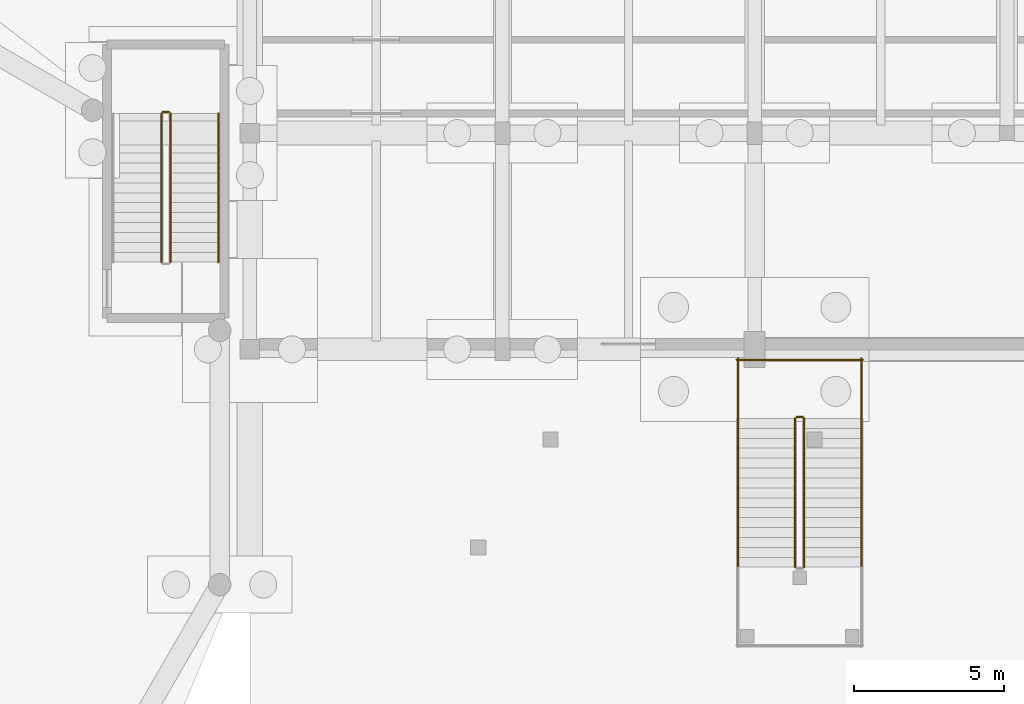
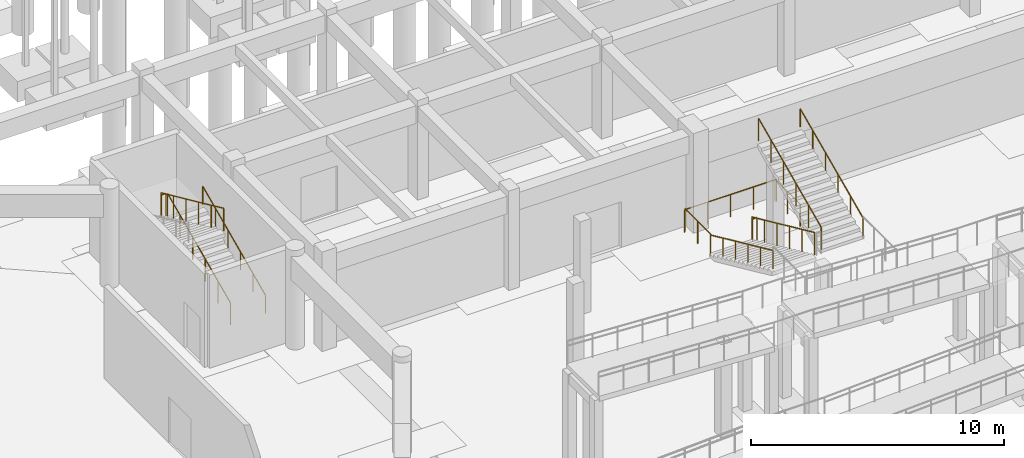
# One storey, part 69 of 80: 12 railings.
"""IFC4 building model written with IfcOpenShell, lengths in metres."""

from ifc_helpers import new_model, si_unit, direction, frame, origin, origin_2d, place, context, subcontext, project, spatial, circle, extrude, material, layer, layer_set, type_object, element, save


model = new_model("IFC4")

# Units and contexts
model_context = context("Model", 3, precision=1e-05, world=origin(), true_north=direction((0.0, 1.0)))
body_context = subcontext(model_context, "Body", "Model", "MODEL_VIEW")
ifc_project = project(units=[si_unit("LENGTHUNIT", "METRE"), si_unit("AREAUNIT", "SQUARE_METRE"), si_unit("VOLUMEUNIT", "CUBIC_METRE"), si_unit("PLANEANGLEUNIT", "RADIAN"), si_unit("MASSUNIT", "GRAM", prefix="KILO")], contexts=[model_context])

# Site, building, storey
site_placement = place(None, origin())
site = spatial("IfcSite", under=ifc_project, at=site_placement, CompositionType="ELEMENT")
building_placement = place(site_placement, origin())
building = spatial("IfcBuilding", under=site, at=building_placement, Name="Malvenik Polytechnic", CompositionType="ELEMENT")
storey_placement = place(building_placement, frame((0.0, 0.0, -4.800048828125)))
storey = spatial("IfcBuildingStorey", under=building, at=storey_placement, Name="B1", CompositionType="ELEMENT", Elevation=-4.800048828125)

# Railings
ifc_material_1 = material(Name="Painted galvanised steel stair well balustrade 1100mm", Category="steel")
ifc_layer_1 = layer(ifc_material_1, 0.050048828125)
ifc_layer_set_1 = layer_set([ifc_layer_1], Name="Painted galvanised steel stair well balustrade 1100mm")
railing_type_1 = type_object("IfcRailingType", Name="ARC-RL-STGD", PredefinedType="BALUSTRADE", material=ifc_layer_set_1)
railing_1_placement = place(storey_placement, frame((30.949951171875, 24.5, 0.150146484375)))
element("IfcRailing", 1, at=railing_1_placement, inside=storey, type_object=railing_type_1, Name="B1 ST-09 stair guard 1", PredefinedType="BALUSTRADE", context=body_context, shape_type="SweptSolid", body=[
    extrude(circle(Radius=0.02392578125, at=origin_2d()), frame((0.0, 0.0, 1.076171875), z_axis=(0.0, 0.910364939756, 0.41380632724), x_axis=(-1.0, 0.0, 0.0)), (0.0, 0.0, 1.0), 5.437255859375),
    extrude(circle(Radius=0.02099609375, at=origin_2d()), origin(), (0.0, 0.0, 1.0), 1.052001953125),
    extrude(circle(Radius=0.02099609375, at=origin_2d()), frame((0.0, 0.989990234375, 0.449951171875)), (0.0, 0.0, 1.0), 1.052001953125),
    extrude(circle(Radius=0.02099609375, at=origin_2d()), frame((0.0, 1.97998046875, 0.89990234375)), (0.0, 0.0, 1.0), 1.052001953125),
    extrude(circle(Radius=0.02099609375, at=origin_2d()), frame((0.0, 2.969970703125, 1.35009765625)), (0.0, 0.0, 1.0), 1.052001953125),
    extrude(circle(Radius=0.02099609375, at=origin_2d()), frame((0.0, 3.9599609375, 1.800048828125)), (0.0, 0.0, 1.0), 1.052001953125),
    extrude(circle(Radius=0.02099609375, at=origin_2d()), frame((0.0, 4.949951171875, 2.25)), (0.0, 0.0, 1.0), 1.052001953125),
])
railing_2_placement = place(storey_placement, frame((30.89990234375, 29.5, 2.400146484375)))
element("IfcRailing", 2, at=railing_2_placement, inside=storey, type_object=railing_type_1, Name="B1 ST-09 stair guard 2", PredefinedType="BALUSTRADE", context=body_context, shape_type="SweptSolid", body=[
    extrude(circle(Radius=0.02392578125, at=origin_2d()), frame((0.0, 0.0, 1.076171875), z_axis=(-1.0, 0.0, 0.0), x_axis=(0.0, -1.0, 0.0)), (0.0, 0.0, 1.0), 0.199951171875),
    extrude(circle(Radius=0.02099609375, at=origin_2d()), origin(), (0.0, 0.0, 1.0), 1.052001953125),
    extrude(circle(Radius=0.02099609375, at=origin_2d()), frame((-0.199951171875, 0.0, 0.0)), (0.0, 0.0, 1.0), 1.052001953125),
])
for number, where, name in (
    (3, (30.64990234375, 29.449951171875, 2.550048828125), "B1 ST-09 stair guard 3"),
    (4, (51.75, 19.300048828125, 0.150146484375), "B1 ST-10 stair guard 1"),
):
    element("IfcRailing", number, at=place(storey_placement, frame(where)), inside=storey, type_object=railing_type_1, Name=name, PredefinedType="BALUSTRADE", context=body_context, shape_type="SweptSolid", body=[
        extrude(circle(Radius=0.02392578125, at=origin_2d()), frame((0.0, 0.0, 1.076171875), z_axis=(0.0, -0.910364939756, 0.41380632724), x_axis=(1.0, 0.0, 0.0)), (0.0, 0.0, 1.0), 5.437255859375),
        extrude(circle(Radius=0.02099609375, at=origin_2d()), origin(), (0.0, 0.0, 1.0), 1.052001953125),
        extrude(circle(Radius=0.02099609375, at=origin_2d()), frame((0.0, -0.989990234375, 0.449951171875)), (0.0, 0.0, 1.0), 1.052001953125),
        extrude(circle(Radius=0.02099609375, at=origin_2d()), frame((0.0, -1.97998046875, 0.89990234375)), (0.0, 0.0, 1.0), 1.052001953125),
        extrude(circle(Radius=0.02099609375, at=origin_2d()), frame((0.0, -2.969970703125, 1.35009765625)), (0.0, 0.0, 1.0), 1.052001953125),
        extrude(circle(Radius=0.02099609375, at=origin_2d()), frame((0.0, -3.9599609375, 1.800048828125)), (0.0, 0.0, 1.0), 1.052001953125),
        extrude(circle(Radius=0.02099609375, at=origin_2d()), frame((0.0, -4.949951171875, 2.25)), (0.0, 0.0, 1.0), 1.052001953125),
    ])
railing_3_placement = place(storey_placement, frame((52.050048828125, 14.35009765625, 2.550048828125)))
element("IfcRailing", 5, at=railing_3_placement, inside=storey, type_object=railing_type_1, Name="B1 ST-10 stair guard 6", PredefinedType="BALUSTRADE", context=body_context, shape_type="SweptSolid", body=[
    extrude(circle(Radius=0.02392578125, at=origin_2d()), frame((0.0, 0.0, 1.076171875), z_axis=(0.0, 0.910364939756, 0.41380632724), x_axis=(-1.0, 0.0, 0.0)), (0.0, 0.0, 1.0), 5.437255859375),
    extrude(circle(Radius=0.02099609375, at=origin_2d()), origin(), (0.0, 0.0, 1.0), 1.052001953125),
    extrude(circle(Radius=0.02099609375, at=origin_2d()), frame((0.0, 0.989990234375, 0.449951171875)), (0.0, 0.0, 1.0), 1.052001953125),
    extrude(circle(Radius=0.02099609375, at=origin_2d()), frame((0.0, 1.97998046875, 0.89990234375)), (0.0, 0.0, 1.0), 1.052001953125),
    extrude(circle(Radius=0.02099609375, at=origin_2d()), frame((0.0, 2.969970703125, 1.35009765625)), (0.0, 0.0, 1.0), 1.052001953125),
    extrude(circle(Radius=0.02099609375, at=origin_2d()), frame((0.0, 3.9599609375, 1.800048828125)), (0.0, 0.0, 1.0), 1.052001953125),
    extrude(circle(Radius=0.02099609375, at=origin_2d()), frame((0.0, 4.949951171875, 2.25)), (0.0, 0.0, 1.0), 1.052001953125),
])
railing_4_placement = place(storey_placement, frame((51.800048828125, 19.35009765625, 0.0)))
element("IfcRailing", 6, at=railing_4_placement, inside=storey, type_object=railing_type_1, Name="B1 ST-10 stair guard 7", PredefinedType="BALUSTRADE", context=body_context, shape_type="SweptSolid", body=[
    extrude(circle(Radius=0.02392578125, at=origin_2d()), frame((0.0, 0.0, 1.076171875), z_axis=(1.0, 0.0, 0.0), x_axis=(0.0, 1.0, 0.0)), (0.0, 0.0, 1.0), 0.199951171875),
    extrude(circle(Radius=0.02099609375, at=origin_2d()), origin(), (0.0, 0.0, 1.0), 1.052001953125),
    extrude(circle(Radius=0.02099609375, at=origin_2d()), frame((0.199951171875, 0.0, 0.0)), (0.0, 0.0, 1.0), 1.052001953125),
])
for number, where, name in (
    (7, (49.85009765625, 21.300048828125, 0.0), "B1 ST-10 stair guard 8"),
    (8, (53.949951171875, 21.300048828125, 0.0), "B1 ST-10 stair guard 9"),
):
    element("IfcRailing", number, at=place(storey_placement, frame(where)), inside=storey, type_object=railing_type_1, Name=name, PredefinedType="BALUSTRADE", context=body_context, shape_type="SweptSolid", body=[
        extrude(circle(Radius=0.02392578125, at=origin_2d()), frame((0.0, 0.0, 1.076171875), z_axis=(0.0, -1.0, 0.0), x_axis=(1.0, 0.0, 0.0)), (0.0, 0.0, 1.0), 2.0),
        extrude(circle(Radius=0.02099609375, at=origin_2d()), origin(), (0.0, 0.0, 1.0), 1.052001953125),
        extrude(circle(Radius=0.02099609375, at=origin_2d()), frame((0.0, -1.0, 0.0)), (0.0, 0.0, 1.0), 1.052001953125),
        extrude(circle(Radius=0.02099609375, at=origin_2d()), frame((0.0, -2.0, 0.0)), (0.0, 0.0, 1.0), 1.052001953125),
    ])
railing_5_placement = place(storey_placement, frame((49.800048828125, 21.25, 0.0)))
element("IfcRailing", 9, at=railing_5_placement, inside=storey, type_object=railing_type_1, Name="B1 ST-10 stair guard 10", PredefinedType="BALUSTRADE", context=body_context, shape_type="SweptSolid", body=[
    extrude(circle(Radius=0.02392578125, at=origin_2d()), frame((0.0, 0.0, 1.076171875), z_axis=(1.0, 0.0, 0.0), x_axis=(0.0, 1.0, 0.0)), (0.0, 0.0, 1.0), 4.199951171875),
    extrude(circle(Radius=0.02099609375, at=origin_2d()), origin(), (0.0, 0.0, 1.0), 1.052001953125),
    extrude(circle(Radius=0.02099609375, at=origin_2d()), frame((1.050048828125, 0.0, 0.0)), (0.0, 0.0, 1.0), 1.052001953125),
    extrude(circle(Radius=0.02099609375, at=origin_2d()), frame((2.10009765625, 0.0, 0.0)), (0.0, 0.0, 1.0), 1.052001953125),
    extrude(circle(Radius=0.02099609375, at=origin_2d()), frame((3.14990234375, 0.0, 0.0)), (0.0, 0.0, 1.0), 1.052001953125),
    extrude(circle(Radius=0.02099609375, at=origin_2d()), frame((4.199951171875, 0.0, 0.0)), (0.0, 0.0, 1.0), 1.052001953125),
])
ifc_material_2 = material(Name="Brushed stainless steel 1.4301 stair wall handrail", Category="steel")
ifc_layer_2 = layer(ifc_material_2, 0.044921875)
ifc_layer_set_2 = layer_set([ifc_layer_2], Name="Brushed stainless steel 1.4301 stair wall handrail")
railing_type_2 = type_object("IfcRailingType", Name="ARC-RL-STHR", PredefinedType="HANDRAIL", material=ifc_layer_set_2)
railing_6_placement = place(storey_placement, frame((32.550048828125, 24.5, 0.150146484375)))
element("IfcRailing", 10, at=railing_6_placement, inside=storey, type_object=railing_type_2, Name="B1 ST-09 stair handrail 1", PredefinedType="HANDRAIL", context=body_context, shape_type="SweptSolid", body=[
    extrude(circle(Radius=0.02392578125, at=origin_2d()), frame((0.0, 0.0, 0.8759765625), z_axis=(0.0, 0.910364939756, 0.41380632724), x_axis=(-1.0, 0.0, 0.0)), (0.0, 0.0, 1.0), 5.437255859375),
    extrude(circle(Radius=0.02099609375, at=origin_2d()), origin(), (0.0, 0.0, 1.0), 0.851806640625),
    extrude(circle(Radius=0.02099609375, at=origin_2d()), frame((0.0, 0.989990234375, 0.449951171875)), (0.0, 0.0, 1.0), 0.851806640625),
    extrude(circle(Radius=0.02099609375, at=origin_2d()), frame((0.0, 1.97998046875, 0.89990234375)), (0.0, 0.0, 1.0), 0.851806640625),
    extrude(circle(Radius=0.02099609375, at=origin_2d()), frame((0.0, 2.969970703125, 1.35009765625)), (0.0, 0.0, 1.0), 0.851806640625),
    extrude(circle(Radius=0.02099609375, at=origin_2d()), frame((0.0, 3.9599609375, 1.800048828125)), (0.0, 0.0, 1.0), 0.851806640625),
    extrude(circle(Radius=0.02099609375, at=origin_2d()), frame((0.0, 4.949951171875, 2.25)), (0.0, 0.0, 1.0), 0.851806640625),
])
railing_7_placement = place(storey_placement, frame((49.85009765625, 19.300048828125, 0.150146484375)))
element("IfcRailing", 11, at=railing_7_placement, inside=storey, type_object=railing_type_2, Name="B1 ST-10 stair handrail 1", PredefinedType="HANDRAIL", context=body_context, shape_type="SweptSolid", body=[
    extrude(circle(Radius=0.02392578125, at=origin_2d()), frame((0.0, 0.0, 0.8759765625), z_axis=(0.0, -0.910364939756, 0.41380632724), x_axis=(1.0, 0.0, 0.0)), (0.0, 0.0, 1.0), 5.437255859375),
    extrude(circle(Radius=0.02099609375, at=origin_2d()), origin(), (0.0, 0.0, 1.0), 0.851806640625),
    extrude(circle(Radius=0.02099609375, at=origin_2d()), frame((0.0, -0.989990234375, 0.449951171875)), (0.0, 0.0, 1.0), 0.851806640625),
    extrude(circle(Radius=0.02099609375, at=origin_2d()), frame((0.0, -1.97998046875, 0.89990234375)), (0.0, 0.0, 1.0), 0.851806640625),
    extrude(circle(Radius=0.02099609375, at=origin_2d()), frame((0.0, -2.969970703125, 1.35009765625)), (0.0, 0.0, 1.0), 0.851806640625),
    extrude(circle(Radius=0.02099609375, at=origin_2d()), frame((0.0, -3.9599609375, 1.800048828125)), (0.0, 0.0, 1.0), 0.851806640625),
    extrude(circle(Radius=0.02099609375, at=origin_2d()), frame((0.0, -4.949951171875, 2.25)), (0.0, 0.0, 1.0), 0.851806640625),
])
railing_8_placement = place(storey_placement, frame((53.949951171875, 14.35009765625, 2.550048828125)))
element("IfcRailing", 12, at=railing_8_placement, inside=storey, type_object=railing_type_2, Name="B1 ST-10 stair handrail 2", PredefinedType="HANDRAIL", context=body_context, shape_type="SweptSolid", body=[
    extrude(circle(Radius=0.02392578125, at=origin_2d()), frame((0.0, 0.0, 0.8759765625), z_axis=(0.0, 0.910364939756, 0.41380632724), x_axis=(-1.0, 0.0, 0.0)), (0.0, 0.0, 1.0), 5.437255859375),
    extrude(circle(Radius=0.02099609375, at=origin_2d()), origin(), (0.0, 0.0, 1.0), 0.851806640625),
    extrude(circle(Radius=0.02099609375, at=origin_2d()), frame((0.0, 0.989990234375, 0.449951171875)), (0.0, 0.0, 1.0), 0.851806640625),
    extrude(circle(Radius=0.02099609375, at=origin_2d()), frame((0.0, 1.97998046875, 0.89990234375)), (0.0, 0.0, 1.0), 0.851806640625),
    extrude(circle(Radius=0.02099609375, at=origin_2d()), frame((0.0, 2.969970703125, 1.35009765625)), (0.0, 0.0, 1.0), 0.851806640625),
    extrude(circle(Radius=0.02099609375, at=origin_2d()), frame((0.0, 3.9599609375, 1.800048828125)), (0.0, 0.0, 1.0), 0.851806640625),
    extrude(circle(Radius=0.02099609375, at=origin_2d()), frame((0.0, 4.949951171875, 2.25)), (0.0, 0.0, 1.0), 0.851806640625),
])

save(model, "model.ifc")
